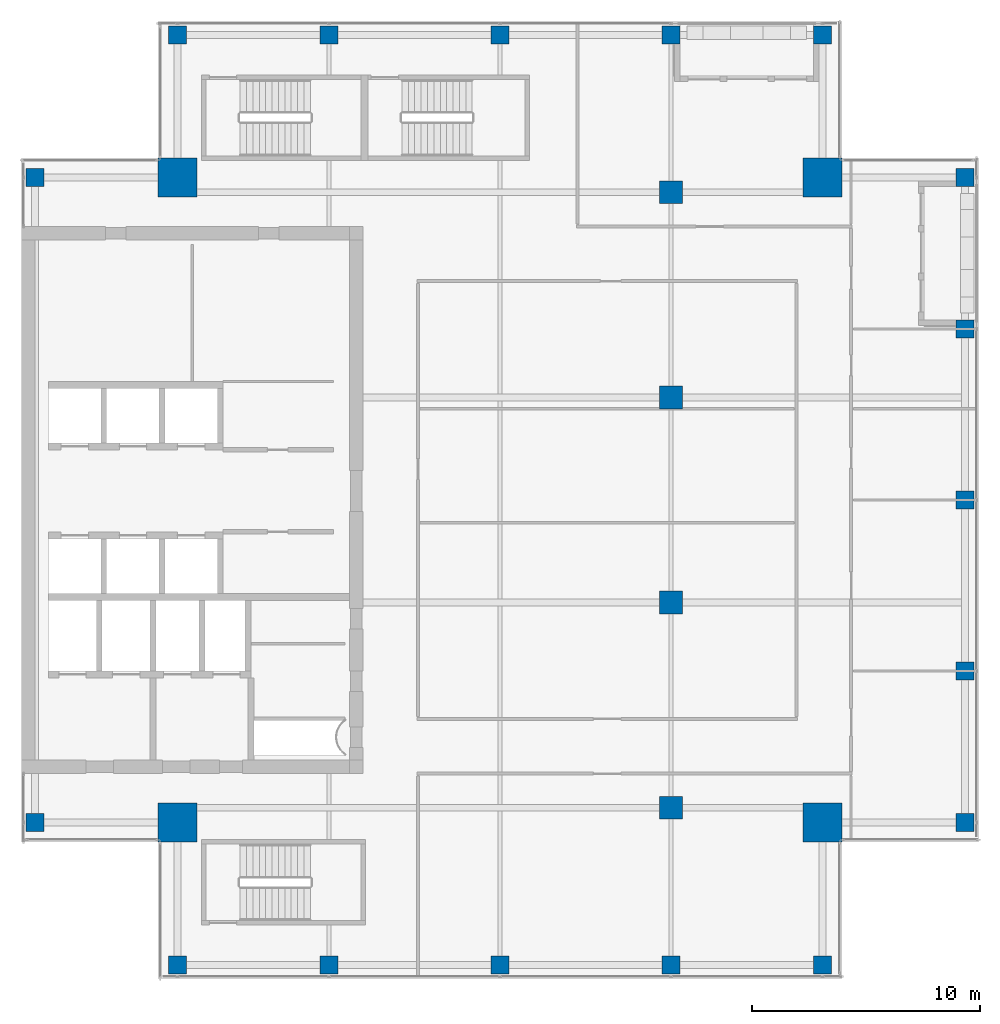
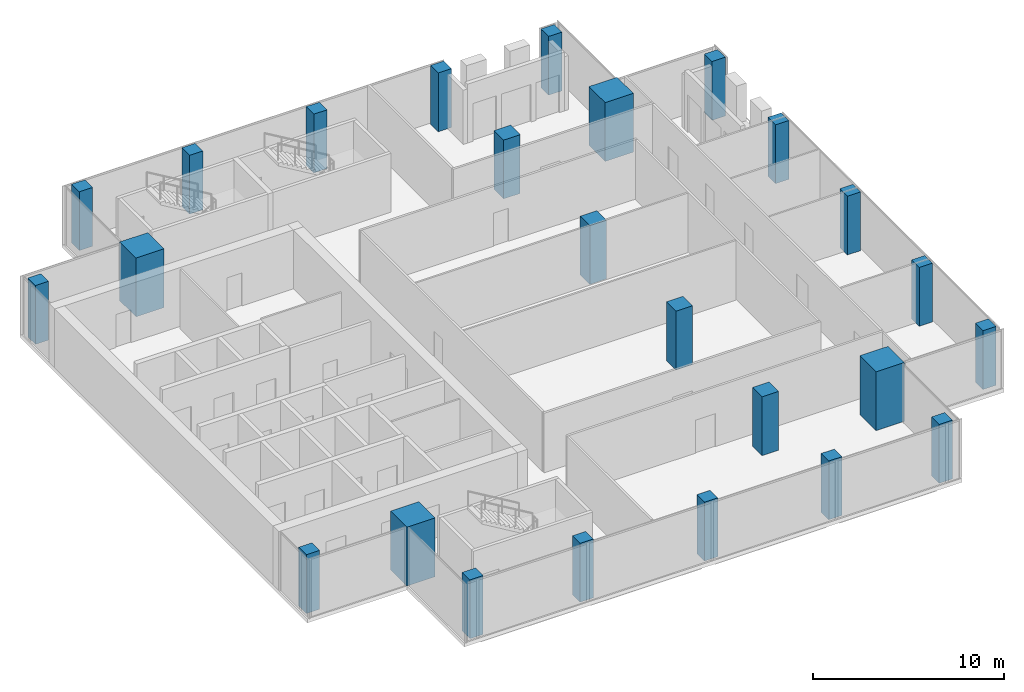
# One storey, part 1 of 29: 25 columns.
"""IFC4 building model written with IfcOpenShell, lengths in metres."""

from ifc_helpers import new_model, si_unit, direction, frame, origin, origin_2d, place, context, subcontext, project, spatial, rectangle, extrude, source, transform, mapped, material, material_profile, profile_set, type_object, element, save


model = new_model("IFC4")

# Units and contexts
model_context = context("Model", 3, precision=1e-05, world=origin(), true_north=direction((0.0, 1.0)))
body_context = subcontext(model_context, "Body", "Model", "MODEL_VIEW")
ifc_project = project(units=[si_unit("LENGTHUNIT", "METRE"), si_unit("AREAUNIT", "SQUARE_METRE"), si_unit("VOLUMEUNIT", "CUBIC_METRE"), si_unit("PLANEANGLEUNIT", "RADIAN"), si_unit("MASSUNIT", "GRAM", prefix="KILO")], contexts=[model_context])

# Site, building, storey
site_placement = place(None, origin())
site = spatial("IfcSite", under=ifc_project, at=site_placement, CompositionType="ELEMENT")
building_placement = place(site_placement, origin())
building = spatial("IfcBuilding", under=site, at=building_placement, Name="Khomas Fold Tower", CompositionType="ELEMENT")
storey_placement = place(building_placement, frame((0.0, 0.0, 310.199951171875)))
storey = spatial("IfcBuildingStorey", under=building, at=storey_placement, Name="L70", CompositionType="ELEMENT", Elevation=310.199951171875)

# Columns
ifc_material_1 = material(Name="Concrete C50/60", Category="concrete")
ifc_material_profile_1 = material_profile(ifc_material_1, rectangle(XDim=1.0, YDim=1.0, at=origin_2d()), Name="RC 1000x1000")
ifc_profile_set_1 = profile_set([ifc_material_profile_1], Name="Concrete C50/60")
column_type_1 = type_object("IfcColumnType", Name="RC 1000x1000 column", PredefinedType="COLUMN", material=ifc_profile_set_1)
shared_shape_1 = source(origin(), body_context, "Body", "SweptSolid", [
    extrude(rectangle(XDim=1.0, YDim=1.0, at=origin_2d()), origin(), (0.0, 0.0, 1.0), 3.75),
])
for number, where, z_axis, x_axis, name in (
    (1, (34.5, 13.5, 0.0), (0.0, 0.0, 1.0), (1.0, 0.0, 0.0), "C-10-H"),
    (2, (34.5, 22.5, 0.0), (0.0, 0.0, 1.0), (1.0, 0.0, 0.0), "C-10-K"),
    (3, (34.5, 31.5, 0.0), (0.0, 0.0, 1.0), (1.0, 0.0, 0.0), "C-10-M"),
    (4, (34.5, 40.5, 0.0), (0.0, 0.0, 1.0), (1.0, 0.0, 0.0), "C-10-P"),
):
    element("IfcColumn", number, at=place(storey_placement, frame(where, z_axis=z_axis, x_axis=x_axis)), inside=storey, type_object=column_type_1, Name=name, PredefinedType="COLUMN", context=body_context, shape_type="MappedRepresentation", body=[
        mapped(shared_shape_1, transform((0.0, 0.0, 0.0))),
    ])
ifc_material_2 = material(Name="Concrete C60/75", Category="concrete")
ifc_material_profile_2 = material_profile(ifc_material_2, rectangle(XDim=1.699951171875, YDim=1.699951171875, at=origin_2d()), Name="RC 1700x1700")
ifc_profile_set_2 = profile_set([ifc_material_profile_2], Name="Concrete C60/75")
column_type_2 = type_object("IfcColumnType", Name="RC 1700x1700 column", PredefinedType="COLUMN", material=ifc_profile_set_2)
shared_shape_2 = source(origin(), body_context, "Body", "SweptSolid", [
    extrude(rectangle(XDim=1.699951171875, YDim=1.699951171875, at=origin_2d()), origin(), (0.0, 0.0, 1.0), 3.75),
])
for number, where, z_axis, x_axis, name in (
    (5, (41.14990234375, 41.14990234375, 0.0), (0.0, 0.0, 1.0), (1.0, 0.0, 0.0), "CM-NE"),
    (6, (12.85009765625, 41.14990234375, 0.0), (0.0, 0.0, 1.0), (1.0, 0.0, 0.0), "CM-NW"),
    (7, (41.14990234375, 12.85009765625, 0.0), (0.0, 0.0, 1.0), (1.0, 0.0, 0.0), "CM-SE"),
    (8, (12.85009765625, 12.85009765625, 0.0), (0.0, 0.0, 1.0), (1.0, 0.0, 0.0), "CM-SW"),
):
    element("IfcColumn", number, at=place(storey_placement, frame(where, z_axis=z_axis, x_axis=x_axis)), inside=storey, type_object=column_type_2, Name=name, PredefinedType="COLUMN", context=body_context, shape_type="MappedRepresentation", body=[
        mapped(shared_shape_2, transform((0.0, 0.0, 0.0))),
    ])
ifc_material_3 = material(Name="Concrete C50/60", Category="concrete")
ifc_material_profile_3 = material_profile(ifc_material_3, rectangle(XDim=0.800048828125, YDim=0.800048828125, at=origin_2d()), Name="RC 800x800")
ifc_profile_set_3 = profile_set([ifc_material_profile_3], Name="Concrete C50/60")
column_type_3 = type_object("IfcColumnType", Name="RC 800x800 column", PredefinedType="COLUMN", material=ifc_profile_set_3)
shared_shape_3 = source(origin(), body_context, "Body", "SweptSolid", [
    extrude(rectangle(XDim=0.800048828125, YDim=0.800048828125, at=origin_2d()), origin(), (0.0, 0.0, 1.0), 3.75),
])
for number, where, z_axis, x_axis, name in (
    (9, (12.85009765625, 6.60009765625, 0.0), (0.0, 0.0, 1.0), (1.0, 0.0, 0.0), "C-7-SF5"),
    (10, (19.5, 6.60009765625, 0.0), (0.0, 0.0, 1.0), (1.0, 0.0, 0.0), "C-8-SF5"),
    (11, (27.0, 6.60009765625, 0.0), (0.0, 0.0, 1.0), (1.0, 0.0, 0.0), "C-9-SF5"),
    (12, (34.5, 6.60009765625, 0.0), (0.0, 0.0, 1.0), (1.0, 0.0, 0.0), "C-10-SF5"),
    (13, (41.14990234375, 6.60009765625, 0.0), (0.0, 0.0, 1.0), (1.0, 0.0, 0.0), "C-12-SF5"),
    (14, (47.39990234375, 12.85009765625, 0.0), (0.0, 0.0, 1.0), (1.0, 0.0, 0.0), "C-E5-G"),
    (15, (47.39990234375, 19.5, 0.0), (0.0, 0.0, 1.0), (1.0, 0.0, 0.0), "C-E5-J"),
    (16, (47.39990234375, 27.0, 0.0), (0.0, 0.0, 1.0), (1.0, 0.0, 0.0), "C-E5-L"),
    (17, (47.39990234375, 34.5, 0.0), (0.0, 0.0, 1.0), (1.0, 0.0, 0.0), "C-E5-N"),
    (18, (47.39990234375, 41.14990234375, 0.0), (0.0, 0.0, 1.0), (1.0, 0.0, 0.0), "C-E5-Q"),
    (19, (12.85009765625, 47.39990234375, 0.0), (0.0, 0.0, 1.0), (1.0, 0.0, 0.0), "C-7-NF5"),
    (20, (19.5, 47.39990234375, 0.0), (0.0, 0.0, 1.0), (1.0, 0.0, 0.0), "C-8-NF5"),
    (21, (27.0, 47.39990234375, 0.0), (0.0, 0.0, 1.0), (1.0, 0.0, 0.0), "C-9-NF5"),
    (22, (34.5, 47.39990234375, 0.0), (0.0, 0.0, 1.0), (1.0, 0.0, 0.0), "C-10-NF5"),
    (23, (41.14990234375, 47.39990234375, 0.0), (0.0, 0.0, 1.0), (1.0, 0.0, 0.0), "C-12-NF5"),
    (24, (6.60009765625, 12.85009765625, 0.0), (0.0, 0.0, 1.0), (1.0, 0.0, 0.0), "C-W5-G"),
    (25, (6.60009765625, 41.14990234375, 0.0), (0.0, 0.0, 1.0), (1.0, 0.0, 0.0), "C-W5-Q"),
):
    element("IfcColumn", number, at=place(storey_placement, frame(where, z_axis=z_axis, x_axis=x_axis)), inside=storey, type_object=column_type_3, Name=name, PredefinedType="COLUMN", context=body_context, shape_type="MappedRepresentation", body=[
        mapped(shared_shape_3, transform((0.0, 0.0, 0.0))),
    ])

save(model, "model.ifc")
